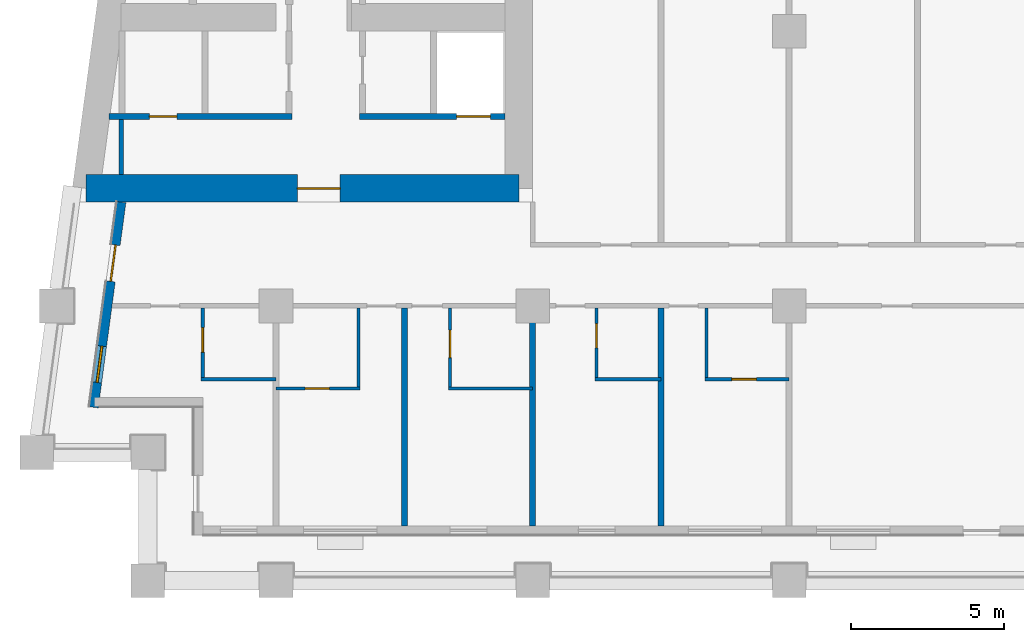
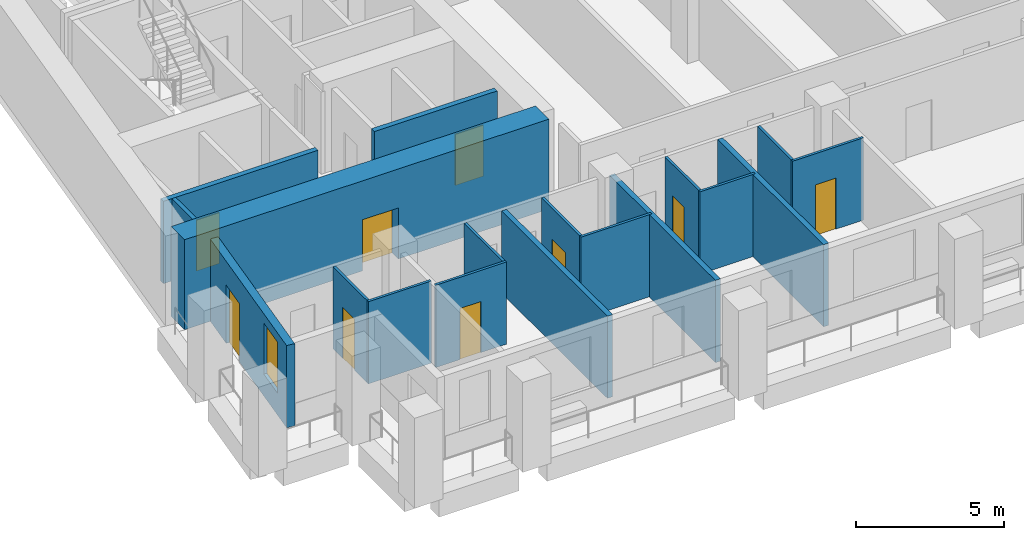
# One storey, part 2 of 13: 18 walls, 9 doors, 1 window, 10 openings.
"""IFC4 building model written with IfcOpenShell, lengths in metres."""

from ifc_helpers import new_model, si_unit, direction, frame, frame_2d, origin, place, context, subcontext, project, spatial, rectangle, extrude, material, layer, layer_set, type_object, element, fill, save


model = new_model("IFC4")

# Units and contexts
model_context = context("Model", 3, precision=1e-05, world=origin(), true_north=direction((0.0, 1.0)))
body_context = subcontext(model_context, "Body", "Model", "MODEL_VIEW")
ifc_project = project(units=[si_unit("LENGTHUNIT", "METRE"), si_unit("AREAUNIT", "SQUARE_METRE"), si_unit("VOLUMEUNIT", "CUBIC_METRE"), si_unit("PLANEANGLEUNIT", "RADIAN"), si_unit("MASSUNIT", "GRAM", prefix="KILO")], contexts=[model_context])

# Site, building, storey
site_placement = place(None, origin())
site = spatial("IfcSite", under=ifc_project, at=site_placement, CompositionType="ELEMENT")
building_placement = place(site_placement, origin())
building = spatial("IfcBuilding", under=site, at=building_placement, Name="Candeia Pilgrim Tower and Theatre", CompositionType="ELEMENT")
storey_placement = place(building_placement, frame((0.0, 0.0, 177.39990234375)))
storey = spatial("IfcBuildingStorey", under=building, at=storey_placement, Name="L42", CompositionType="ELEMENT", Elevation=177.39990234375)

# Wall, opening, door
ifc_material_1 = material(Name="Concrete C60/75", Category="concrete")
ifc_layer_1 = layer(ifc_material_1, 0.89990234375)
ifc_layer_set_1 = layer_set([ifc_layer_1], Name="Core wall 900 C60/75")
wall_type_1 = type_object("IfcWallType", Name="Core wall 900 C60/75", PredefinedType="SHEAR", material=ifc_layer_set_1)
wall_1_placement = place(storey_placement, frame((100.35009765625, 110.85009765625, 0.0), z_axis=(0.0, 0.0, 1.0), x_axis=(-1.0, 0.0, 0.0)))
wall_1 = element("IfcWall", 1, at=wall_1_placement, inside=storey, type_object=wall_type_1, Name="Core wall W3", PredefinedType="SHEAR", context=body_context, shape_type="SweptSolid", body=[
    extrude(rectangle(XDim=14.166259765625, YDim=0.89990234375, at=frame_2d((7.0830078125, 0.0))), origin(), (0.0, 0.0, 1.0), 3.7001953125),
])
opening_1_placement = place(wall_1_placement, frame((5.854736328125, 0.0, 0.0)))
opening_1 = element("IfcOpeningElement", 2, at=opening_1_placement, cuts=wall_1, Name="Opening L42-D062", PredefinedType="OPENING", context=body_context, shape_type="SweptSolid", body=[
    extrude(rectangle(XDim=1.39990234375, YDim=2.10009765625, at=frame_2d((0.699951171875, 1.050048828125))), frame((0.0, 0.4599609375, 0.0), z_axis=(0.0, -1.0, 0.0), x_axis=(1.0, 0.0, 0.0)), (0.0, 0.0, 1.0), 0.919921875),
])
ifc_material_2 = material(Name="Steel fire door set", Category="steel")
door_type_1 = type_object("IfcDoorType", Name="D-1400-FD60", OperationType="NOTDEFINED", PredefinedType="DOOR", material=ifc_material_2)
door_1_placement = place(opening_1_placement, origin())
door_1 = element("IfcDoor", 3, at=door_1_placement, inside=storey, type_object=door_type_1, Name="Door L42-D062", OperationType="SINGLE_SWING_RIGHT", OverallHeight=2.10009765625, OverallWidth=1.39990234375, PredefinedType="DOOR", context=body_context, shape_type="SweptSolid", body=[
    extrude(rectangle(XDim=1.39990234375, YDim=2.10009765625, at=frame_2d((0.699951171875, 1.050048828125))), frame((0.0, 0.02490234375, 0.0), z_axis=(0.0, -1.0, 0.0), x_axis=(1.0, 0.0, 0.0)), (0.0, 0.0, 1.0), 0.050048828125),
])
fill(opening_1, door_1)

# Wall, openings, door, window
ifc_material_3 = material(Name="Ceramic block masonry", Category="masonry")
ifc_layer_2 = layer(ifc_material_3, 0.300048828125)
ifc_layer_set_2 = layer_set([ifc_layer_2], Name="EW1 glazing-line wall 300")
wall_type_2 = type_object("IfcWallType", Name="EW1 glazing-line wall 300", PredefinedType="SOLIDWALL", material=ifc_layer_set_2)
wall_2_placement = place(storey_placement, frame((87.334228515625, 110.39990234375, 0.0), z_axis=(0.0, 0.0, 1.0), x_axis=(-0.133437175554, -0.991057273915, 0.0)))
wall_2 = element("IfcWall", 4, at=wall_2_placement, inside=storey, type_object=wall_type_2, Name="External wall L42-9.1", PredefinedType="SOLIDWALL", context=body_context, shape_type="SweptSolid", body=[
    extrude(rectangle(XDim=6.780517578125, YDim=0.300048828125, at=frame_2d((3.39013671875, 0.0))), origin(), (0.0, 0.0, 1.0), 3.380126953125),
])
opening_2_placement = place(wall_2_placement, frame((1.41796875, 0.0, 0.0)))
opening_2 = element("IfcOpeningElement", 5, at=opening_2_placement, cuts=wall_2, Name="Opening L42-ED409", PredefinedType="OPENING", context=body_context, shape_type="SweptSolid", body=[
    extrude(rectangle(XDim=1.199951171875, YDim=2.39990234375, at=frame_2d((0.60009765625, 1.199951171875))), frame((0.0, 0.16015625, 0.0), z_axis=(0.0, -1.0, 0.0), x_axis=(1.0, 0.0, 0.0)), (0.0, 0.0, 1.0), 0.320068359375),
])
opening_3_placement = place(wall_2_placement, frame((4.75830078125, 0.0, 0.89990234375)))
opening_3 = element("IfcOpeningElement", 6, at=opening_3_placement, cuts=wall_2, Name="Opening W-B", PredefinedType="OPENING", context=body_context, shape_type="SweptSolid", body=[
    extrude(rectangle(XDim=1.199951171875, YDim=2.10009765625, at=frame_2d((0.60009765625, 1.050048828125))), frame((0.0, 0.16015625, 0.0), z_axis=(0.0, -1.0, 0.0), x_axis=(1.0, 0.0, 0.0)), (0.0, 0.0, 1.0), 0.320068359375),
])
ifc_material_4 = material(Name="Aluminium framed glazed door", Category="aluminium")
door_type_2 = type_object("IfcDoorType", Name="Loggia door 1200x2400", OperationType="DOUBLE_DOOR_SINGLE_SWING", PredefinedType="DOOR", material=ifc_material_4)
door_2_placement = place(opening_2_placement, origin())
door_2 = element("IfcDoor", 7, at=door_2_placement, inside=storey, type_object=door_type_2, Name="Loggia door L42-ED409", OperationType="DOUBLE_DOOR_SINGLE_SWING", OverallHeight=2.39990234375, OverallWidth=1.199951171875, PredefinedType="DOOR", context=body_context, shape_type="SweptSolid", body=[
    extrude(rectangle(XDim=1.199951171875, YDim=2.39990234375, at=frame_2d((0.60009765625, 1.199951171875))), frame((0.0, 0.02490234375, 0.0), z_axis=(0.0, -1.0, 0.0), x_axis=(1.0, 0.0, 0.0)), (0.0, 0.0, 1.0), 0.050048828125),
])
fill(opening_2, door_2)
ifc_material_5 = material(Name="Aluminium framed double glazing", Category="aluminium")
window_type = type_object("IfcWindowType", Name="W-B window 1200x2100", PartitioningType="SINGLE_PANEL", PredefinedType="WINDOW", material=ifc_material_5)
window_placement = place(opening_3_placement, origin())
window = element("IfcWindow", 8, at=window_placement, inside=storey, type_object=window_type, Name="Window W-B L42", OverallHeight=2.10009765625, OverallWidth=1.199951171875, PartitioningType="SINGLE_PANEL", PredefinedType="WINDOW", context=body_context, shape_type="SweptSolid", body=[
    extrude(rectangle(XDim=1.199951171875, YDim=2.10009765625, at=frame_2d((0.60009765625, 1.050048828125))), frame((0.0, 0.030029296875, 0.0), z_axis=(0.0, -1.0, 0.0), x_axis=(1.0, 0.0, 0.0)), (0.0, 0.0, 1.0), 0.06005859375),
])
fill(opening_3, window)

# Wall, opening, door
ifc_material_6 = material(Name="Gypsum board partition on steel studs", Category="steel")
ifc_layer_3 = layer(ifc_material_6, 0.10009765625)
ifc_layer_set_3 = layer_set([ifc_layer_3], Name="PW-100 room partition")
wall_type_3 = type_object("IfcWallType", Name="PW-100 room partition", PredefinedType="PARTITIONING", material=ifc_layer_set_3)
wall_3_placement = place(storey_placement, frame((92.39990234375, 104.300048828125, 0.0), z_axis=(0.0, 0.0, 1.0), x_axis=(1.0, 0.0, 0.0)))
wall_3 = element("IfcWall", 9, at=wall_3_placement, inside=storey, type_object=wall_type_3, Name="Room partition L42-001", PredefinedType="PARTITIONING", context=body_context, shape_type="SweptSolid", body=[
    extrude(rectangle(XDim=2.75, YDim=0.10009765625, at=frame_2d((1.375, 0.0))), origin(), (0.0, 0.0, 1.0), 3.380126953125),
])
opening_4_placement = place(wall_3_placement, frame((0.949951171875, 0.0, 0.0)))
opening_4 = element("IfcOpeningElement", 10, at=opening_4_placement, cuts=wall_3, Name="Opening L42-D020", PredefinedType="OPENING", context=body_context, shape_type="SweptSolid", body=[
    extrude(rectangle(XDim=0.800048828125, YDim=2.10009765625, at=frame_2d((0.39990234375, 1.050048828125))), frame((0.0, 0.06005859375, 0.0), z_axis=(0.0, -1.0, 0.0), x_axis=(1.0, 0.0, 0.0)), (0.0, 0.0, 1.0), 0.1201171875),
])
ifc_material_7 = material(Name="Timber door leaf", Category="wood")
door_type_3 = type_object("IfcDoorType", Name="D-800", OperationType="NOTDEFINED", PredefinedType="DOOR", material=ifc_material_7)
door_3_placement = place(opening_4_placement, origin())
door_3 = element("IfcDoor", 11, at=door_3_placement, inside=storey, type_object=door_type_3, Name="Door L42-D020", OperationType="SINGLE_SWING_RIGHT", OverallHeight=2.10009765625, OverallWidth=0.800048828125, PredefinedType="DOOR", context=body_context, shape_type="SweptSolid", body=[
    extrude(rectangle(XDim=0.800048828125, YDim=2.10009765625, at=frame_2d((0.39990234375, 1.050048828125))), frame((0.0, 0.02490234375, 0.0), z_axis=(0.0, -1.0, 0.0), x_axis=(1.0, 0.0, 0.0)), (0.0, 0.0, 1.0), 0.050048828125),
])
fill(opening_4, door_3)

# Walls
wall_4_placement = place(storey_placement, frame((98.050048828125, 104.300048828125, 0.0), z_axis=(0.0, 0.0, 1.0), x_axis=(1.0, 0.0, 0.0)))
element("IfcWall", 12, at=wall_4_placement, inside=storey, type_object=wall_type_3, Name="Room partition L42-002", PredefinedType="PARTITIONING", context=body_context, shape_type="SweptSolid", body=[
    extrude(rectangle(XDim=2.75, YDim=0.10009765625, at=frame_2d((1.375, 0.0))), origin(), (0.0, 0.0, 1.0), 3.380126953125),
])
wall_5_placement = place(storey_placement, frame((89.949951171875, 104.60009765625, 0.0), z_axis=(0.0, 0.0, 1.0), x_axis=(1.0, 0.0, 0.0)))
element("IfcWall", 13, at=wall_5_placement, inside=storey, type_object=wall_type_3, Name="Room partition L42-007", PredefinedType="PARTITIONING", context=body_context, shape_type="SweptSolid", body=[
    extrude(rectangle(XDim=2.449951171875, YDim=0.10009765625, at=frame_2d((1.22509765625, 0.0))), origin(), (0.0, 0.0, 1.0), 3.380126953125),
])
wall_6_placement = place(storey_placement, frame((102.85009765625, 104.60009765625, 0.0), z_axis=(0.0, 0.0, 1.0), x_axis=(1.0, 0.0, 0.0)))
element("IfcWall", 14, at=wall_6_placement, inside=storey, type_object=wall_type_3, Name="Room partition L42-008", PredefinedType="PARTITIONING", context=body_context, shape_type="SweptSolid", body=[
    extrude(rectangle(XDim=2.14990234375, YDim=0.10009765625, at=frame_2d((1.074951171875, 0.0))), origin(), (0.0, 0.0, 1.0), 3.380126953125),
])

# Wall, opening, door
wall_7_placement = place(storey_placement, frame((106.449951171875, 104.60009765625, 0.0), z_axis=(0.0, 0.0, 1.0), x_axis=(1.0, 0.0, 0.0)))
wall_7 = element("IfcWall", 15, at=wall_7_placement, inside=storey, type_object=wall_type_3, Name="Room partition L42-009", PredefinedType="PARTITIONING", context=body_context, shape_type="SweptSolid", body=[
    extrude(rectangle(XDim=2.75, YDim=0.10009765625, at=frame_2d((1.375, 0.0))), origin(), (0.0, 0.0, 1.0), 3.380126953125),
])
opening_5_placement = place(wall_7_placement, frame((0.8798828125, 0.0, 0.0)))
opening_5 = element("IfcOpeningElement", 16, at=opening_5_placement, cuts=wall_7, Name="Opening L42-D026", PredefinedType="OPENING", context=body_context, shape_type="SweptSolid", body=[
    extrude(rectangle(XDim=0.800048828125, YDim=2.10009765625, at=frame_2d((0.39990234375, 1.050048828125))), frame((0.0, 0.06005859375, 0.0), z_axis=(0.0, -1.0, 0.0), x_axis=(1.0, 0.0, 0.0)), (0.0, 0.0, 1.0), 0.1201171875),
])
door_4_placement = place(opening_5_placement, origin())
door_4 = element("IfcDoor", 17, at=door_4_placement, inside=storey, type_object=door_type_3, Name="Door L42-D026", OperationType="SINGLE_SWING_RIGHT", OverallHeight=2.10009765625, OverallWidth=0.800048828125, PredefinedType="DOOR", context=body_context, shape_type="SweptSolid", body=[
    extrude(rectangle(XDim=0.800048828125, YDim=2.10009765625, at=frame_2d((0.39990234375, 1.050048828125))), frame((0.0, 0.02490234375, 0.0), z_axis=(0.0, -1.0, 0.0), x_axis=(1.0, 0.0, 0.0)), (0.0, 0.0, 1.0), 0.050048828125),
])
fill(opening_5, door_4)

wall_8_placement = place(storey_placement, frame((90.0, 104.64990234375, 0.0), z_axis=(0.0, 0.0, 1.0), x_axis=(0.0, 1.0, 0.0)))
wall_8 = element("IfcWall", 18, at=wall_8_placement, inside=storey, type_object=wall_type_3, Name="Room partition L42-055", PredefinedType="PARTITIONING", context=body_context, shape_type="SweptSolid", body=[
    extrude(rectangle(XDim=2.275146484375, YDim=0.10009765625, at=frame_2d((1.1376953125, 0.0))), origin(), (0.0, 0.0, 1.0), 3.380126953125),
])
opening_6_placement = place(wall_8_placement, frame((0.840087890625, 0.0, 0.0)))
opening_6 = element("IfcOpeningElement", 19, at=opening_6_placement, cuts=wall_8, Name="Opening L42-D018", PredefinedType="OPENING", context=body_context, shape_type="SweptSolid", body=[
    extrude(rectangle(XDim=0.800048828125, YDim=2.10009765625, at=frame_2d((0.39990234375, 1.050048828125))), frame((0.0, 0.06005859375, 0.0), z_axis=(0.0, -1.0, 0.0), x_axis=(1.0, 0.0, 0.0)), (0.0, 0.0, 1.0), 0.1201171875),
])
door_5_placement = place(opening_6_placement, origin())
door_5 = element("IfcDoor", 20, at=door_5_placement, inside=storey, type_object=door_type_3, Name="Door L42-D018", OperationType="SINGLE_SWING_RIGHT", OverallHeight=2.10009765625, OverallWidth=0.800048828125, PredefinedType="DOOR", context=body_context, shape_type="SweptSolid", body=[
    extrude(rectangle(XDim=0.800048828125, YDim=2.10009765625, at=frame_2d((0.39990234375, 1.050048828125))), frame((0.0, 0.02490234375, 0.0), z_axis=(0.0, -1.0, 0.0), x_axis=(1.0, 0.0, 0.0)), (0.0, 0.0, 1.0), 0.050048828125),
])
fill(opening_6, door_5)

# Wall
wall_9_placement = place(storey_placement, frame((95.10009765625, 104.35009765625, 0.0), z_axis=(0.0, 0.0, 1.0), x_axis=(0.0, 1.0, 0.0)))
element("IfcWall", 21, at=wall_9_placement, inside=storey, type_object=wall_type_3, Name="Room partition L42-065", PredefinedType="PARTITIONING", context=body_context, shape_type="SweptSolid", body=[
    extrude(rectangle(XDim=2.574951171875, YDim=0.10009765625, at=frame_2d((1.28759765625, 0.0))), origin(), (0.0, 0.0, 1.0), 3.380126953125),
])

# Wall, opening, door
wall_10_placement = place(storey_placement, frame((98.10009765625, 104.35009765625, 0.0), z_axis=(0.0, 0.0, 1.0), x_axis=(0.0, 1.0, 0.0)))
wall_10 = element("IfcWall", 22, at=wall_10_placement, inside=storey, type_object=wall_type_3, Name="Room partition L42-074", PredefinedType="PARTITIONING", context=body_context, shape_type="SweptSolid", body=[
    extrude(rectangle(XDim=2.574951171875, YDim=0.10009765625, at=frame_2d((1.28759765625, 0.0))), origin(), (0.0, 0.0, 1.0), 3.380126953125),
])
opening_7_placement = place(wall_10_placement, frame((0.9599609375, 0.0, 0.0)))
opening_7 = element("IfcOpeningElement", 23, at=opening_7_placement, cuts=wall_10, Name="Opening L42-D022", PredefinedType="OPENING", context=body_context, shape_type="SweptSolid", body=[
    extrude(rectangle(XDim=0.89990234375, YDim=2.10009765625, at=frame_2d((0.449951171875, 1.050048828125))), frame((0.0, 0.06005859375, 0.0), z_axis=(0.0, -1.0, 0.0), x_axis=(1.0, 0.0, 0.0)), (0.0, 0.0, 1.0), 0.1201171875),
])
door_type_4 = type_object("IfcDoorType", Name="D-900", OperationType="NOTDEFINED", PredefinedType="DOOR", material=ifc_material_7)
door_6_placement = place(opening_7_placement, origin())
door_6 = element("IfcDoor", 24, at=door_6_placement, inside=storey, type_object=door_type_4, Name="Door L42-D022", OperationType="SINGLE_SWING_RIGHT", OverallHeight=2.10009765625, OverallWidth=0.89990234375, PredefinedType="DOOR", context=body_context, shape_type="SweptSolid", body=[
    extrude(rectangle(XDim=0.89990234375, YDim=2.10009765625, at=frame_2d((0.449951171875, 1.050048828125))), frame((0.0, 0.02490234375, 0.0), z_axis=(0.0, -1.0, 0.0), x_axis=(1.0, 0.0, 0.0)), (0.0, 0.0, 1.0), 0.050048828125),
])
fill(opening_7, door_6)

wall_11_placement = place(storey_placement, frame((102.89990234375, 104.64990234375, 0.0), z_axis=(0.0, 0.0, 1.0), x_axis=(0.0, 1.0, 0.0)))
wall_11 = element("IfcWall", 25, at=wall_11_placement, inside=storey, type_object=wall_type_3, Name="Room partition L42-079", PredefinedType="PARTITIONING", context=body_context, shape_type="SweptSolid", body=[
    extrude(rectangle(XDim=2.275146484375, YDim=0.10009765625, at=frame_2d((1.1376953125, 0.0))), origin(), (0.0, 0.0, 1.0), 3.380126953125),
])
opening_8_placement = place(wall_11_placement, frame((0.97509765625, 0.0, 0.0)))
opening_8 = element("IfcOpeningElement", 26, at=opening_8_placement, cuts=wall_11, Name="Opening L42-D024", PredefinedType="OPENING", context=body_context, shape_type="SweptSolid", body=[
    extrude(rectangle(XDim=0.800048828125, YDim=2.10009765625, at=frame_2d((0.39990234375, 1.050048828125))), frame((0.0, 0.06005859375, 0.0), z_axis=(0.0, -1.0, 0.0), x_axis=(1.0, 0.0, 0.0)), (0.0, 0.0, 1.0), 0.1201171875),
])
door_7_placement = place(opening_8_placement, origin())
door_7 = element("IfcDoor", 27, at=door_7_placement, inside=storey, type_object=door_type_3, Name="Door L42-D024", OperationType="SINGLE_SWING_RIGHT", OverallHeight=2.10009765625, OverallWidth=0.800048828125, PredefinedType="DOOR", context=body_context, shape_type="SweptSolid", body=[
    extrude(rectangle(XDim=0.800048828125, YDim=2.10009765625, at=frame_2d((0.39990234375, 1.050048828125))), frame((0.0, 0.02490234375, 0.0), z_axis=(0.0, -1.0, 0.0), x_axis=(1.0, 0.0, 0.0)), (0.0, 0.0, 1.0), 0.050048828125),
])
fill(opening_8, door_7)

# Walls
wall_12_placement = place(storey_placement, frame((106.5, 104.64990234375, 0.0), z_axis=(0.0, 0.0, 1.0), x_axis=(0.0, 1.0, 0.0)))
element("IfcWall", 28, at=wall_12_placement, inside=storey, type_object=wall_type_3, Name="Room partition L42-083", PredefinedType="PARTITIONING", context=body_context, shape_type="SweptSolid", body=[
    extrude(rectangle(XDim=2.275146484375, YDim=0.10009765625, at=frame_2d((1.1376953125, 0.0))), origin(), (0.0, 0.0, 1.0), 3.380126953125),
])
ifc_layer_4 = layer(ifc_material_6, 0.14990234375)
ifc_layer_set_4 = layer_set([ifc_layer_4], Name="PW-150 lobby wall")
wall_type_4 = type_object("IfcWallType", Name="PW-150 lobby wall", PredefinedType="PARTITIONING", material=ifc_layer_set_4)
wall_13_placement = place(storey_placement, frame((87.327880859375, 111.300048828125, 0.0), z_axis=(0.0, 0.0, 1.0), x_axis=(0.0, 1.0, 0.0)))
element("IfcWall", 29, at=wall_13_placement, inside=storey, type_object=wall_type_4, Name="Lobby wall L42-052", PredefinedType="PARTITIONING", context=body_context, shape_type="SweptSolid", body=[
    extrude(rectangle(XDim=1.800048828125, YDim=0.14990234375, at=frame_2d((0.89990234375, 0.0))), origin(), (0.0, 0.0, 1.0), 3.380126953125),
])
ifc_layer_5 = layer(ifc_material_6, 0.199951171875)
ifc_layer_set_5 = layer_set([ifc_layer_5], Name="PW-200 party wall")
wall_type_5 = type_object("IfcWallType", Name="PW-200 party wall", PredefinedType="PARTITIONING", material=ifc_layer_set_5)
for number, where, z_axis, x_axis, name in (
    (30, (96.60009765625, 99.7900390625, 0.0), (0.0, 0.0, 1.0), (0.0, 1.0, 0.0), "Party wall L42-069"),
    (31, (100.800048828125, 99.7900390625, 0.0), (0.0, 0.0, 1.0), (0.0, 1.0, 0.0), "Party wall L42-075"),
    (32, (105.0, 99.7900390625, 0.0), (0.0, 0.0, 1.0), (0.0, 1.0, 0.0), "Party wall L42-080"),
):
    element("IfcWall", number, at=place(storey_placement, frame(where, z_axis=z_axis, x_axis=x_axis)), inside=storey, type_object=wall_type_5, Name=name, PredefinedType="PARTITIONING", context=body_context, shape_type="SweptSolid", body=[
        extrude(rectangle(XDim=7.135009765625, YDim=0.199951171875, at=frame_2d((3.5673828125, 0.0))), origin(), (0.0, 0.0, 1.0), 3.380126953125),
    ])

# Wall, opening, door
ifc_material_8 = material(Name="Concrete C40/50", Category="concrete")
ifc_layer_6 = layer(ifc_material_8, 0.199951171875)
ifc_layer_set_6 = layer_set([ifc_layer_6], Name="SW-200 shaft wall")
wall_type_6 = type_object("IfcWallType", Name="SW-200 shaft wall", PredefinedType="PARTITIONING", material=ifc_layer_set_6)
wall_14_placement = place(storey_placement, frame((86.92431640625, 113.199951171875, 0.0), z_axis=(0.0, 0.0, 1.0), x_axis=(1.0, 0.0, 0.0)))
wall_14 = element("IfcWall", 33, at=wall_14_placement, inside=storey, type_object=wall_type_6, Name="Shaft wall L42-013", PredefinedType="PARTITIONING", context=body_context, shape_type="SweptSolid", body=[
    extrude(rectangle(XDim=6.002685546875, YDim=0.199951171875, at=frame_2d((3.00146484375, 0.0))), origin(), (0.0, 0.0, 1.0), 3.380126953125),
])
opening_9_placement = place(wall_14_placement, frame((1.32861328125, 0.0, 0.0)))
opening_9 = element("IfcOpeningElement", 34, at=opening_9_placement, cuts=wall_14, Name="Opening L42-D007", PredefinedType="OPENING", context=body_context, shape_type="SweptSolid", body=[
    extrude(rectangle(XDim=0.89990234375, YDim=2.10009765625, at=frame_2d((0.449951171875, 1.050048828125))), frame((0.0, 0.10986328125, 0.0), z_axis=(0.0, -1.0, 0.0), x_axis=(1.0, 0.0, 0.0)), (0.0, 0.0, 1.0), 0.219970703125),
])
door_type_5 = type_object("IfcDoorType", Name="D-900-FD60", OperationType="NOTDEFINED", PredefinedType="DOOR", material=ifc_material_2)
door_8_placement = place(opening_9_placement, origin())
door_8 = element("IfcDoor", 35, at=door_8_placement, inside=storey, type_object=door_type_5, Name="Door L42-D007", OperationType="SINGLE_SWING_RIGHT", OverallHeight=2.10009765625, OverallWidth=0.89990234375, PredefinedType="DOOR", context=body_context, shape_type="SweptSolid", body=[
    extrude(rectangle(XDim=0.89990234375, YDim=2.10009765625, at=frame_2d((0.449951171875, 1.050048828125))), frame((0.0, 0.02490234375, 0.0), z_axis=(0.0, -1.0, 0.0), x_axis=(1.0, 0.0, 0.0)), (0.0, 0.0, 1.0), 0.050048828125),
])
fill(opening_9, door_8)

wall_15_placement = place(storey_placement, frame((95.126953125, 113.199951171875, 0.0), z_axis=(0.0, 0.0, 1.0), x_axis=(1.0, 0.0, 0.0)))
wall_15 = element("IfcWall", 36, at=wall_15_placement, inside=storey, type_object=wall_type_6, Name="Shaft wall L42-014", PredefinedType="PARTITIONING", context=body_context, shape_type="SweptSolid", body=[
    extrude(rectangle(XDim=4.77294921875, YDim=0.199951171875, at=frame_2d((2.386474609375, 0.0))), origin(), (0.0, 0.0, 1.0), 3.380126953125),
])
opening_10_placement = place(wall_15_placement, frame((3.18896484375, 0.0, 0.0)))
opening_10 = element("IfcOpeningElement", 37, at=opening_10_placement, cuts=wall_15, Name="Opening L42-LD03", PredefinedType="OPENING", context=body_context, shape_type="SweptSolid", body=[
    extrude(rectangle(XDim=1.10009765625, YDim=2.10009765625, at=frame_2d((0.550048828125, 1.050048828125))), frame((0.0, 0.10986328125, 0.0), z_axis=(0.0, -1.0, 0.0), x_axis=(1.0, 0.0, 0.0)), (0.0, 0.0, 1.0), 0.219970703125),
])
ifc_material_9 = material(Name="Glazed aluminium landing door", Category="aluminium")
door_type_6 = type_object("IfcDoorType", Name="LD-1100-EI120", OperationType="SLIDING_TO_LEFT", PredefinedType="DOOR", material=ifc_material_9)
door_9_placement = place(opening_10_placement, origin())
door_9 = element("IfcDoor", 38, at=door_9_placement, inside=storey, type_object=door_type_6, Name="Landing door 03 L42", OperationType="SLIDING_TO_LEFT", OverallHeight=2.10009765625, OverallWidth=1.10009765625, PredefinedType="DOOR", context=body_context, shape_type="SweptSolid", body=[
    extrude(rectangle(XDim=1.10009765625, YDim=2.10009765625, at=frame_2d((0.550048828125, 1.050048828125))), frame((0.0, 0.02490234375, 0.0), z_axis=(0.0, -1.0, 0.0), x_axis=(1.0, 0.0, 0.0)), (0.0, 0.0, 1.0), 0.050048828125),
])
fill(opening_10, door_9)

save(model, "model.ifc")
